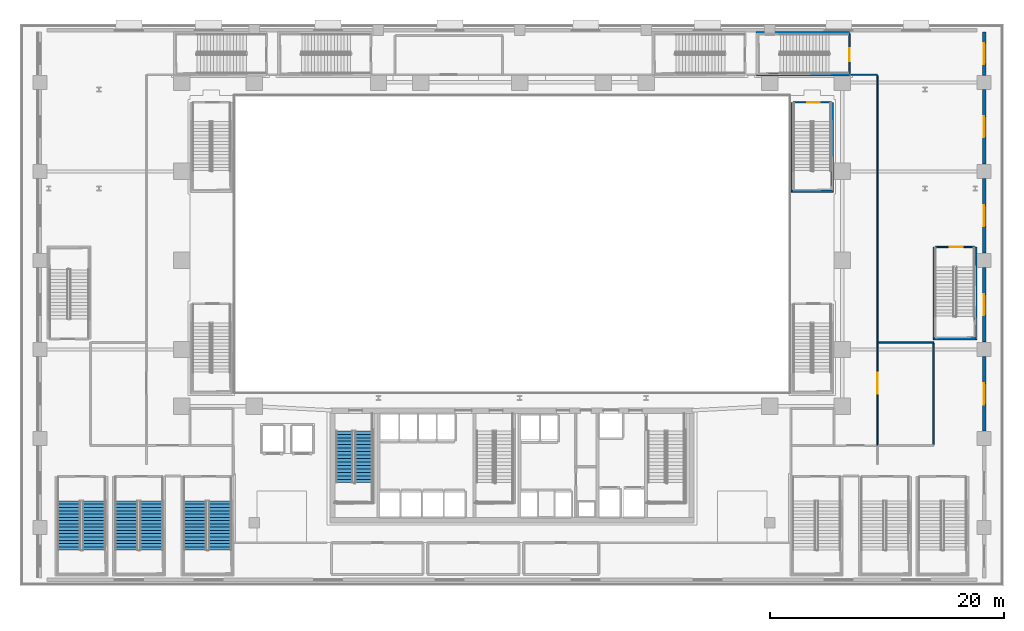
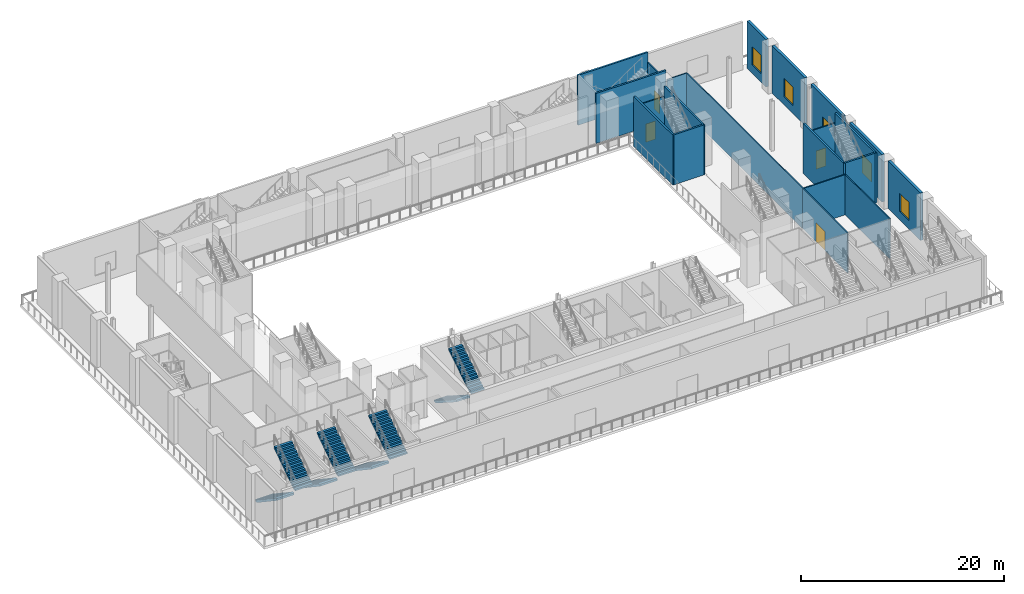
# One storey, part 12 of 29: 21 walls, 8 stair flights, 5 windows, 4 doors, 9 openings, 4 elements without a shape of their own.
"""IFC4 building model written with IfcOpenShell, lengths in metres."""

from ifc_helpers import new_model, si_unit, direction, frame, frame_2d, origin, place, context, subcontext, project, spatial, polyline, rectangle, outline, extrude, material, layer, layer_set, type_object, element, fill, aggregate, save


model = new_model("IFC4")

# Units and contexts
model_context = context("Model", 3, precision=1e-05, world=origin(), true_north=direction((0.0, 1.0)))
body_context = subcontext(model_context, "Body", "Model", "MODEL_VIEW")
ifc_project = project(units=[si_unit("LENGTHUNIT", "METRE"), si_unit("AREAUNIT", "SQUARE_METRE"), si_unit("VOLUMEUNIT", "CUBIC_METRE"), si_unit("PLANEANGLEUNIT", "RADIAN"), si_unit("MASSUNIT", "GRAM", prefix="KILO")], contexts=[model_context])

# Site, building, storey
site_placement = place(None, origin())
site = spatial("IfcSite", under=ifc_project, at=site_placement, CompositionType="ELEMENT")
building_placement = place(site_placement, origin())
building = spatial("IfcBuilding", under=site, at=building_placement, Name="Ndaravel Arena Tower", CompositionType="ELEMENT")
storey_placement = place(building_placement, frame((0.0, 0.0, 12.0)))
storey = spatial("IfcBuildingStorey", under=building, at=storey_placement, Name="L02", CompositionType="ELEMENT", Elevation=12.0)

# Walls
ifc_material_1 = material(Name="Gypsum", Category="gypsum")
ifc_layer_1 = layer(ifc_material_1, 0.125)
ifc_layer_set_1 = layer_set([ifc_layer_1], Name="Gypsum")
wall_type_1 = type_object("IfcWallType", Name="WALL-PART-125", PredefinedType="PARTITIONING", material=ifc_layer_set_1)
wall_1_placement = place(storey_placement, frame((70.919921875, 43.64990234375, 0.0), z_axis=(0.0, 0.0, 1.0), x_axis=(1.0, 0.0, 0.0)))
element("IfcWall", 1, at=wall_1_placement, inside=storey, type_object=wall_type_1, Name="L02 Interior Partition 021", PredefinedType="PARTITIONING", context=body_context, shape_type="SweptSolid", body=[
    extrude(rectangle(XDim=2.280029296875, YDim=0.125, at=frame_2d((1.14013671875, 0.0))), origin(), (0.0, 0.0, 1.0), 4.819091796875),
])
wall_2_placement = place(storey_placement, frame((73.199951171875, 43.5849609375, 0.0), z_axis=(0.0, 0.0, 1.0), x_axis=(0.0, -1.0, 0.0)))
element("IfcWall", 2, at=wall_2_placement, inside=storey, type_object=wall_type_1, Name="L02 Interior Partition 022", PredefinedType="PARTITIONING", context=body_context, shape_type="SweptSolid", body=[
    extrude(rectangle(XDim=22.784912109375, YDim=0.125, at=frame_2d((11.392578125, 0.0))), origin(), (0.0, 0.0, 1.0), 4.819091796875),
])

# Wall, opening, door
wall_3_placement = place(storey_placement, frame((73.199951171875, 20.800048828125, 0.0), z_axis=(0.0, 0.0, 1.0), x_axis=(0.0, -1.0, 0.0)))
wall_3 = element("IfcWall", 3, at=wall_3_placement, inside=storey, type_object=wall_type_1, Name="L02 Interior Partition 023", PredefinedType="PARTITIONING", context=body_context, shape_type="SweptSolid", body=[
    extrude(rectangle(XDim=8.800048828125, YDim=0.125, at=frame_2d((4.39990234375, 0.0))), origin(), (0.0, 0.0, 1.0), 4.819091796875),
])
opening_1_placement = place(wall_3_placement, frame((2.60009765625, 0.0, 0.0)))
opening_1 = element("IfcOpeningElement", 4, at=opening_1_placement, cuts=wall_3, Name="Opening AD-01", PredefinedType="OPENING", context=body_context, shape_type="SweptSolid", body=[
    extrude(rectangle(XDim=1.800048828125, YDim=2.300048828125, at=frame_2d((0.89990234375, 1.14990234375))), frame((0.0, 0.0625, 0.0), z_axis=(0.0, -1.0, 0.0), x_axis=(1.0, 0.0, 0.0)), (0.0, 0.0, 1.0), 0.125),
])
ifc_material_2 = material(Name="Steel S355", Category="steel")
door_type_1 = type_object("IfcDoorType", Name="DT-10-ARENA-1800", OperationType="DOUBLE_DOOR_SINGLE_SWING", PredefinedType="DOOR", material=ifc_material_2)
door_1_placement = place(opening_1_placement, origin())
door_1 = element("IfcDoor", 5, at=door_1_placement, inside=storey, type_object=door_type_1, Name="L02 East Corporate Hospitality Boxes Door", OperationType="SINGLE_SWING_LEFT", OverallHeight=2.300048828125, OverallWidth=1.800048828125, PredefinedType="DOOR", context=body_context, shape_type="SweptSolid", body=[
    extrude(rectangle(XDim=1.800048828125, YDim=2.300048828125, at=frame_2d((0.89990234375, 1.14990234375))), frame((0.0, 0.02490234375, 0.0), z_axis=(0.0, -1.0, 0.0), x_axis=(1.0, 0.0, 0.0)), (0.0, 0.0, 1.0), 0.050048828125),
])
fill(opening_1, door_1)

# Walls
wall_4_placement = place(storey_placement, frame((73.264892578125, 20.800048828125, 0.0), z_axis=(0.0, 0.0, 1.0), x_axis=(1.0, 0.0, 0.0)))
element("IfcWall", 6, at=wall_4_placement, inside=storey, type_object=wall_type_1, Name="L02 Interior Partition 037", PredefinedType="PARTITIONING", context=body_context, shape_type="SweptSolid", body=[
    extrude(rectangle(XDim=4.735107421875, YDim=0.125, at=frame_2d((2.36767578125, 0.0))), origin(), (0.0, 0.0, 1.0), 4.819091796875),
])
wall_5_placement = place(storey_placement, frame((78.0, 20.735107421875, 0.0), z_axis=(0.0, 0.0, 1.0), x_axis=(0.0, -1.0, 0.0)))
element("IfcWall", 7, at=wall_5_placement, inside=storey, type_object=wall_type_1, Name="L02 Interior Partition 038", PredefinedType="PARTITIONING", context=body_context, shape_type="SweptSolid", body=[
    extrude(rectangle(XDim=8.670166015625, YDim=0.125, at=frame_2d((4.3349609375, 0.0))), origin(), (0.0, 0.0, 1.0), 4.819091796875),
])

# Wall, opening, window
ifc_material_3 = material(Name="Masonry", Category="masonry")
ifc_layer_2 = layer(ifc_material_3, 0.300048828125)
ifc_layer_set_2 = layer_set([ifc_layer_2], Name="Masonry")
wall_type_2 = type_object("IfcWallType", Name="WALL-POD-MAZERAS-300", PredefinedType="SOLIDWALL", material=ifc_layer_set_2)
wall_6_placement = place(storey_placement, frame((82.300048828125, 19.580078125, 0.0), z_axis=(0.0, 0.0, 1.0), x_axis=(0.0, -1.0, 0.0)))
wall_6 = element("IfcWall", 8, at=wall_6_placement, inside=storey, type_object=wall_type_2, Name="L02 East Mazeras Bay 3", PredefinedType="SOLIDWALL", context=body_context, shape_type="SweptSolid", body=[
    extrude(rectangle(XDim=6.360107421875, YDim=0.300048828125, at=frame_2d((3.18017578125, 0.0))), origin(), (0.0, 0.0, 1.0), 5.699951171875),
])
opening_2_placement = place(wall_6_placement, frame((2.280029296875, 0.0, 1.0)))
opening_2 = element("IfcOpeningElement", 9, at=opening_2_placement, cuts=wall_6, Name="Opening W-PD2", PredefinedType="OPENING", context=body_context, shape_type="SweptSolid", body=[
    extrude(rectangle(XDim=1.800048828125, YDim=2.199951171875, at=frame_2d((0.89990234375, 1.10009765625))), frame((0.0, 0.14990234375, 0.0), z_axis=(0.0, -1.0, 0.0), x_axis=(1.0, 0.0, 0.0)), (0.0, 0.0, 1.0), 0.300048828125),
])
ifc_material_4 = material(Name="Glazing", Category="glass")
window_type = type_object("IfcWindowType", Name="WIN-POD-1800", PartitioningType="SINGLE_PANEL", PredefinedType="WINDOW", material=ifc_material_4)
window_1_placement = place(opening_2_placement, origin())
window_1 = element("IfcWindow", 10, at=window_1_placement, inside=storey, type_object=window_type, Name="L02 East Mazeras Window 3", OverallHeight=2.199951171875, OverallWidth=1.800048828125, PartitioningType="SINGLE_PANEL", PredefinedType="WINDOW", context=body_context, shape_type="SweptSolid", body=[
    extrude(rectangle(XDim=1.800048828125, YDim=2.199951171875, at=frame_2d((0.89990234375, 1.10009765625))), frame((0.0, 0.030029296875, 0.0), z_axis=(0.0, -1.0, 0.0), x_axis=(1.0, 0.0, 0.0)), (0.0, 0.0, 1.0), 0.06005859375),
])
fill(opening_2, window_1)

wall_7_placement = place(storey_placement, frame((82.300048828125, 27.179931640625, 0.0), z_axis=(0.0, 0.0, 1.0), x_axis=(0.0, -1.0, 0.0)))
wall_7 = element("IfcWall", 11, at=wall_7_placement, inside=storey, type_object=wall_type_2, Name="L02 East Mazeras Bay 4", PredefinedType="SOLIDWALL", context=body_context, shape_type="SweptSolid", body=[
    extrude(rectangle(XDim=6.35986328125, YDim=0.300048828125, at=frame_2d((3.179931640625, 0.0))), origin(), (0.0, 0.0, 1.0), 5.699951171875),
])
opening_3_placement = place(wall_7_placement, frame((2.280029296875, 0.0, 1.0)))
opening_3 = element("IfcOpeningElement", 12, at=opening_3_placement, cuts=wall_7, Name="Opening W-PD2", PredefinedType="OPENING", context=body_context, shape_type="SweptSolid", body=[
    extrude(rectangle(XDim=1.800048828125, YDim=2.199951171875, at=frame_2d((0.89990234375, 1.10009765625))), frame((0.0, 0.14990234375, 0.0), z_axis=(0.0, -1.0, 0.0), x_axis=(1.0, 0.0, 0.0)), (0.0, 0.0, 1.0), 0.300048828125),
])
window_2_placement = place(opening_3_placement, origin())
window_2 = element("IfcWindow", 13, at=window_2_placement, inside=storey, type_object=window_type, Name="L02 East Mazeras Window 4", OverallHeight=2.199951171875, OverallWidth=1.800048828125, PartitioningType="SINGLE_PANEL", PredefinedType="WINDOW", context=body_context, shape_type="SweptSolid", body=[
    extrude(rectangle(XDim=1.800048828125, YDim=2.199951171875, at=frame_2d((0.89990234375, 1.10009765625))), frame((0.0, 0.030029296875, 0.0), z_axis=(0.0, -1.0, 0.0), x_axis=(1.0, 0.0, 0.0)), (0.0, 0.0, 1.0), 0.06005859375),
])
fill(opening_3, window_2)

wall_8_placement = place(storey_placement, frame((82.300048828125, 34.780029296875, 0.0), z_axis=(0.0, 0.0, 1.0), x_axis=(0.0, -1.0, 0.0)))
wall_8 = element("IfcWall", 14, at=wall_8_placement, inside=storey, type_object=wall_type_2, Name="L02 East Mazeras Bay 5", PredefinedType="SOLIDWALL", context=body_context, shape_type="SweptSolid", body=[
    extrude(rectangle(XDim=6.360107421875, YDim=0.300048828125, at=frame_2d((3.18017578125, 0.0))), origin(), (0.0, 0.0, 1.0), 5.699951171875),
])
opening_4_placement = place(wall_8_placement, frame((2.280029296875, 0.0, 1.0)))
opening_4 = element("IfcOpeningElement", 15, at=opening_4_placement, cuts=wall_8, Name="Opening W-PD2", PredefinedType="OPENING", context=body_context, shape_type="SweptSolid", body=[
    extrude(rectangle(XDim=1.800048828125, YDim=2.199951171875, at=frame_2d((0.89990234375, 1.10009765625))), frame((0.0, 0.14990234375, 0.0), z_axis=(0.0, -1.0, 0.0), x_axis=(1.0, 0.0, 0.0)), (0.0, 0.0, 1.0), 0.300048828125),
])
window_3_placement = place(opening_4_placement, origin())
window_3 = element("IfcWindow", 16, at=window_3_placement, inside=storey, type_object=window_type, Name="L02 East Mazeras Window 5", OverallHeight=2.199951171875, OverallWidth=1.800048828125, PartitioningType="SINGLE_PANEL", PredefinedType="WINDOW", context=body_context, shape_type="SweptSolid", body=[
    extrude(rectangle(XDim=1.800048828125, YDim=2.199951171875, at=frame_2d((0.89990234375, 1.10009765625))), frame((0.0, 0.030029296875, 0.0), z_axis=(0.0, -1.0, 0.0), x_axis=(1.0, 0.0, 0.0)), (0.0, 0.0, 1.0), 0.06005859375),
])
fill(opening_4, window_3)

wall_9_placement = place(storey_placement, frame((82.300048828125, 42.3798828125, 0.0), z_axis=(0.0, 0.0, 1.0), x_axis=(0.0, -1.0, 0.0)))
wall_9 = element("IfcWall", 17, at=wall_9_placement, inside=storey, type_object=wall_type_2, Name="L02 East Mazeras Bay 6", PredefinedType="SOLIDWALL", context=body_context, shape_type="SweptSolid", body=[
    extrude(rectangle(XDim=6.35986328125, YDim=0.300048828125, at=frame_2d((3.179931640625, 0.0))), origin(), (0.0, 0.0, 1.0), 5.699951171875),
])
opening_5_placement = place(wall_9_placement, frame((2.280029296875, 0.0, 1.0)))
opening_5 = element("IfcOpeningElement", 18, at=opening_5_placement, cuts=wall_9, Name="Opening W-PD2", PredefinedType="OPENING", context=body_context, shape_type="SweptSolid", body=[
    extrude(rectangle(XDim=1.800048828125, YDim=2.199951171875, at=frame_2d((0.89990234375, 1.10009765625))), frame((0.0, 0.14990234375, 0.0), z_axis=(0.0, -1.0, 0.0), x_axis=(1.0, 0.0, 0.0)), (0.0, 0.0, 1.0), 0.300048828125),
])
window_4_placement = place(opening_5_placement, origin())
window_4 = element("IfcWindow", 19, at=window_4_placement, inside=storey, type_object=window_type, Name="L02 East Mazeras Window 6", OverallHeight=2.199951171875, OverallWidth=1.800048828125, PartitioningType="SINGLE_PANEL", PredefinedType="WINDOW", context=body_context, shape_type="SweptSolid", body=[
    extrude(rectangle(XDim=1.800048828125, YDim=2.199951171875, at=frame_2d((0.89990234375, 1.10009765625))), frame((0.0, 0.030029296875, 0.0), z_axis=(0.0, -1.0, 0.0), x_axis=(1.0, 0.0, 0.0)), (0.0, 0.0, 1.0), 0.06005859375),
])
fill(opening_5, window_4)

wall_10_placement = place(storey_placement, frame((82.300048828125, 47.300048828125, 0.0), z_axis=(0.0, 0.0, 1.0), x_axis=(0.0, -1.0, 0.0)))
wall_10 = element("IfcWall", 20, at=wall_10_placement, inside=storey, type_object=wall_type_2, Name="L02 East Mazeras Bay 7", PredefinedType="SOLIDWALL", context=body_context, shape_type="SweptSolid", body=[
    extrude(rectangle(XDim=3.699951171875, YDim=0.300048828125, at=frame_2d((1.85009765625, 0.0))), origin(), (0.0, 0.0, 1.0), 5.699951171875),
])
opening_6_placement = place(wall_10_placement, frame((0.949951171875, 0.0, 1.0)))
opening_6 = element("IfcOpeningElement", 21, at=opening_6_placement, cuts=wall_10, Name="Opening W-PD2", PredefinedType="OPENING", context=body_context, shape_type="SweptSolid", body=[
    extrude(rectangle(XDim=1.800048828125, YDim=2.199951171875, at=frame_2d((0.89990234375, 1.10009765625))), frame((0.0, 0.14990234375, 0.0), z_axis=(0.0, -1.0, 0.0), x_axis=(1.0, 0.0, 0.0)), (0.0, 0.0, 1.0), 0.300048828125),
])
window_5_placement = place(opening_6_placement, origin())
window_5 = element("IfcWindow", 22, at=window_5_placement, inside=storey, type_object=window_type, Name="L02 East Mazeras Window 7", OverallHeight=2.199951171875, OverallWidth=1.800048828125, PartitioningType="SINGLE_PANEL", PredefinedType="WINDOW", context=body_context, shape_type="SweptSolid", body=[
    extrude(rectangle(XDim=1.800048828125, YDim=2.199951171875, at=frame_2d((0.89990234375, 1.10009765625))), frame((0.0, 0.030029296875, 0.0), z_axis=(0.0, -1.0, 0.0), x_axis=(1.0, 0.0, 0.0)), (0.0, 0.0, 1.0), 0.06005859375),
])
fill(opening_6, window_5)

# Wall, opening, door
ifc_material_5 = material(Name="Concrete C40/50", Category="concrete")
ifc_layer_3 = layer(ifc_material_5, 0.1201171875)
ifc_layer_set_3 = layer_set([ifc_layer_3], Name="Concrete C40/50")
wall_type_3 = type_object("IfcWallType", Name="WALL-SHAFT-120", PredefinedType="SOLIDWALL", material=ifc_layer_set_3)
wall_11_placement = place(storey_placement, frame((70.800048828125, 47.135009765625, 0.0), z_axis=(0.0, 0.0, 1.0), x_axis=(0.0, -1.0, 0.0)))
wall_11 = element("IfcWall", 23, at=wall_11_placement, inside=storey, type_object=wall_type_3, Name="L02 ST-A11 Entry Wall", PredefinedType="SOLIDWALL", context=body_context, shape_type="SweptSolid", body=[
    extrude(rectangle(XDim=3.3701171875, YDim=0.1201171875, at=frame_2d((1.68505859375, 0.0))), origin(), (0.0, 0.0, 1.0), 4.819091796875),
])
opening_7_placement = place(wall_11_placement, frame((1.239990234375, 0.0, 0.0)))
opening_7 = element("IfcOpeningElement", 24, at=opening_7_placement, cuts=wall_11, Name="Opening FD-01", PredefinedType="OPENING", context=body_context, shape_type="SweptSolid", body=[
    extrude(rectangle(XDim=1.10009765625, YDim=2.199951171875, at=frame_2d((0.550048828125, 1.10009765625))), frame((0.0, 0.06005859375, 0.0), z_axis=(0.0, -1.0, 0.0), x_axis=(1.0, 0.0, 0.0)), (0.0, 0.0, 1.0), 0.1201171875),
])
ifc_material_6 = material(Name="Steel S355", Category="steel")
door_type_2 = type_object("IfcDoorType", Name="DT-01-STAIR-1100", OperationType="SINGLE_SWING_LEFT", PredefinedType="DOOR", material=ifc_material_6)
door_2_placement = place(opening_7_placement, origin())
door_2 = element("IfcDoor", 25, at=door_2_placement, inside=storey, type_object=door_type_2, Name="L02 ST-A11 Fire Exit Stair Door", OperationType="SINGLE_SWING_LEFT", OverallHeight=2.199951171875, OverallWidth=1.10009765625, PredefinedType="DOOR", context=body_context, shape_type="SweptSolid", body=[
    extrude(rectangle(XDim=1.10009765625, YDim=2.199951171875, at=frame_2d((0.550048828125, 1.10009765625))), frame((0.0, 0.02490234375, 0.0), z_axis=(0.0, -1.0, 0.0), x_axis=(1.0, 0.0, 0.0)), (0.0, 0.0, 1.0), 0.050048828125),
])
fill(opening_7, door_2)

wall_12_placement = place(storey_placement, frame((78.125, 28.949951171875, 0.0), z_axis=(0.0, 0.0, 1.0), x_axis=(1.0, 0.0, 0.0)))
wall_12 = element("IfcWall", 26, at=wall_12_placement, inside=storey, type_object=wall_type_3, Name="L02 ST-A12 Entry Wall", PredefinedType="SOLIDWALL", context=body_context, shape_type="SweptSolid", body=[
    extrude(rectangle(XDim=3.3701171875, YDim=0.1201171875, at=frame_2d((1.68505859375, 0.0))), origin(), (0.0, 0.0, 1.0), 4.819091796875),
])
opening_8_placement = place(wall_12_placement, frame((1.239990234375, 0.0, 0.0)))
opening_8 = element("IfcOpeningElement", 27, at=opening_8_placement, cuts=wall_12, Name="Opening FD-01", PredefinedType="OPENING", context=body_context, shape_type="SweptSolid", body=[
    extrude(rectangle(XDim=1.10009765625, YDim=2.199951171875, at=frame_2d((0.550048828125, 1.10009765625))), frame((0.0, 0.06005859375, 0.0), z_axis=(0.0, -1.0, 0.0), x_axis=(1.0, 0.0, 0.0)), (0.0, 0.0, 1.0), 0.1201171875),
])
door_3_placement = place(opening_8_placement, origin())
door_3 = element("IfcDoor", 28, at=door_3_placement, inside=storey, type_object=door_type_2, Name="L02 ST-A12 Fire Exit Stair Door", OperationType="SINGLE_SWING_LEFT", OverallHeight=2.199951171875, OverallWidth=1.10009765625, PredefinedType="DOOR", context=body_context, shape_type="SweptSolid", body=[
    extrude(rectangle(XDim=1.10009765625, YDim=2.199951171875, at=frame_2d((0.550048828125, 1.10009765625))), frame((0.0, 0.02490234375, 0.0), z_axis=(0.0, -1.0, 0.0), x_axis=(1.0, 0.0, 0.0)), (0.0, 0.0, 1.0), 0.050048828125),
])
fill(opening_8, door_3)

wall_13_placement = place(storey_placement, frame((66.0048828125, 41.300048828125, 0.0), z_axis=(0.0, 0.0, 1.0), x_axis=(1.0, 0.0, 0.0)))
wall_13 = element("IfcWall", 29, at=wall_13_placement, inside=storey, type_object=wall_type_3, Name="L02 ST-VOM-4 Entry Wall", PredefinedType="SOLIDWALL", context=body_context, shape_type="SweptSolid", body=[
    extrude(rectangle(XDim=3.25, YDim=0.1201171875, at=frame_2d((1.625, 0.0))), origin(), (0.0, 0.0, 1.0), 4.819091796875),
])
opening_9_placement = place(wall_13_placement, frame((1.179931640625, 0.0, 0.0)))
opening_9 = element("IfcOpeningElement", 30, at=opening_9_placement, cuts=wall_13, Name="Opening FD-01", PredefinedType="OPENING", context=body_context, shape_type="SweptSolid", body=[
    extrude(rectangle(XDim=1.10009765625, YDim=2.199951171875, at=frame_2d((0.550048828125, 1.10009765625))), frame((0.0, 0.06005859375, 0.0), z_axis=(0.0, -1.0, 0.0), x_axis=(1.0, 0.0, 0.0)), (0.0, 0.0, 1.0), 0.1201171875),
])
door_4_placement = place(opening_9_placement, origin())
door_4 = element("IfcDoor", 31, at=door_4_placement, inside=storey, type_object=door_type_2, Name="L02 ST-VOM-4 Fire Exit Stair Door", OperationType="SINGLE_SWING_LEFT", OverallHeight=2.199951171875, OverallWidth=1.10009765625, PredefinedType="DOOR", context=body_context, shape_type="SweptSolid", body=[
    extrude(rectangle(XDim=1.10009765625, YDim=2.199951171875, at=frame_2d((0.550048828125, 1.10009765625))), frame((0.0, 0.02490234375, 0.0), z_axis=(0.0, -1.0, 0.0), x_axis=(1.0, 0.0, 0.0)), (0.0, 0.0, 1.0), 0.050048828125),
])
fill(opening_9, door_4)

# Walls
ifc_material_7 = material(Name="Concrete C40/50", Category="concrete")
ifc_layer_4 = layer(ifc_material_7, 0.199951171875)
ifc_layer_set_4 = layer_set([ifc_layer_4], Name="Concrete C40/50")
wall_type_4 = type_object("IfcWallType", Name="WALL-SHAFT-200", PredefinedType="SOLIDWALL", material=ifc_layer_set_4)
for number, where, z_axis, x_axis, name in (
    (32, (70.800048828125, 47.239990234375, 0.0), (0.0, 0.0, 1.0), (-1.0, 0.0, 0.0), "L02 ST-A11 Shaft Wall Left"),
    (33, (70.800048828125, 43.659912109375, 0.0), (0.0, 0.0, 1.0), (-1.0, 0.0, 0.0), "L02 ST-A11 Shaft Wall Right"),
    (34, (78.02001953125, 28.949951171875, 0.0), (0.0, 0.0, 1.0), (0.0, -1.0, 0.0), "L02 ST-A12 Shaft Wall Left"),
    (35, (81.60009765625, 28.949951171875, 0.0), (0.0, 0.0, 1.0), (0.0, -1.0, 0.0), "L02 ST-A12 Shaft Wall Right"),
):
    element("IfcWall", number, at=place(storey_placement, frame(where, z_axis=z_axis, x_axis=x_axis)), inside=storey, type_object=wall_type_4, Name=name, PredefinedType="SOLIDWALL", context=body_context, shape_type="SweptSolid", body=[
        extrude(rectangle(XDim=7.949951171875, YDim=0.199951171875, at=frame_2d((3.97509765625, 0.0))), origin(), (0.0, 0.0, 1.0), 6.0),
    ])
wall_14_placement = place(storey_placement, frame((78.030029296875, 21.10009765625, 0.0), z_axis=(0.0, 0.0, 1.0), x_axis=(1.0, 0.0, 0.0)))
element("IfcWall", 36, at=wall_14_placement, inside=storey, type_object=wall_type_4, Name="L02 ST-A12 Shaft Wall Far", PredefinedType="SOLIDWALL", context=body_context, shape_type="SweptSolid", body=[
    extrude(rectangle(XDim=3.56005859375, YDim=0.199951171875, at=frame_2d((1.780029296875, 0.0))), origin(), (0.0, 0.0, 1.0), 6.0),
])
for number, where, z_axis, x_axis, name in (
    (37, (65.89990234375, 41.300048828125, 0.0), (0.0, 0.0, 1.0), (0.0, -1.0, 0.0), "L02 ST-VOM-4 Shaft Wall Left"),
    (38, (69.360107421875, 41.300048828125, 0.0), (0.0, 0.0, 1.0), (0.0, -1.0, 0.0), "L02 ST-VOM-4 Shaft Wall Right"),
):
    element("IfcWall", number, at=place(storey_placement, frame(where, z_axis=z_axis, x_axis=x_axis)), inside=storey, type_object=wall_type_4, Name=name, PredefinedType="SOLIDWALL", context=body_context, shape_type="SweptSolid", body=[
        extrude(rectangle(XDim=7.699951171875, YDim=0.199951171875, at=frame_2d((3.85009765625, 0.0))), origin(), (0.0, 0.0, 1.0), 6.0),
    ])
wall_15_placement = place(storey_placement, frame((65.909912109375, 33.699951171875, 0.0), z_axis=(0.0, 0.0, 1.0), x_axis=(1.0, 0.0, 0.0)))
element("IfcWall", 39, at=wall_15_placement, inside=storey, type_object=wall_type_4, Name="L02 ST-VOM-4 Shaft Wall Far", PredefinedType="SOLIDWALL", context=body_context, shape_type="SweptSolid", body=[
    extrude(rectangle(XDim=3.440185546875, YDim=0.199951171875, at=frame_2d((1.72021484375, 0.0))), origin(), (0.0, 0.0, 1.0), 6.0),
])

# Stair, stair flights
ifc_material_8 = material(Name="Concrete C40/50", Category="concrete")
stair_type_1 = type_object("IfcStairType", Name="STAIR-ARENA-HT", PredefinedType="HALF_TURN_STAIR", material=ifc_material_8)
stair_1_placement = place(storey_placement, origin())
stair_1 = element("IfcStair", 40, at=stair_1_placement, inside=storey, type_object=stair_type_1, Name="L02 ST-A01", PredefinedType="HALF_TURN_STAIR")
ifc_material_9 = material(Name="Concrete C40/50", Category="concrete")
stair_flight_type_1 = type_object("IfcStairFlightType", Name="SFLIGHT-ARENA-1980", PredefinedType="STRAIGHT", material=ifc_material_9)
stair_flight_1_placement = place(storey_placement, frame((4.18994140625, 7.27001953125, 0.0), z_axis=(0.0, 0.0, 1.0), x_axis=(0.0, -1.0, 0.0)))
stair_flight_1 = element("IfcStairFlight", 41, at=stair_flight_1_placement, type_object=stair_flight_type_1, Name="ST-A01 flight 1", NumberOfRisers=16, NumberOfTreads=15, PredefinedType="STRAIGHT", RiserHeight=0.1875, TreadLength=0.28, context=body_context, shape_type="SweptSolid", body=[
    extrude(outline(polyline([(0.0, 0.0), (0.0, 0.1875), (0.280029296875, 0.1875), (0.280029296875, 0.375), (0.56005859375, 0.375), (0.56005859375, 0.5625), (0.840087890625, 0.5625), (0.840087890625, 0.75), (1.1201171875, 0.75), (1.1201171875, 0.9375), (1.39990234375, 0.9375), (1.39990234375, 1.125), (1.679931640625, 1.125), (1.679931640625, 1.3125), (1.9599609375, 1.3125), (1.9599609375, 1.5), (2.239990234375, 1.5), (2.239990234375, 1.6875), (2.52001953125, 1.6875), (2.52001953125, 1.875), (2.800048828125, 1.875), (2.800048828125, 2.0625), (3.080078125, 2.0625), (3.080078125, 2.25), (3.360107421875, 2.25), (3.360107421875, 2.4375), (3.639892578125, 2.4375), (3.639892578125, 2.625), (3.919921875, 2.625), (3.919921875, 2.8125), (4.199951171875, 2.8125), (4.199951171875, 3.0), (4.199951171875, 2.57177734375), (0.359375, 0.0), (0.0, 0.0)])), frame((0.0, 0.989990234375, 0.0), z_axis=(0.0, -1.0, 0.0), x_axis=(1.0, 0.0, 0.0)), (0.0, 0.0, 1.0), 1.97998046875),
])
stair_flight_2_placement = place(storey_placement, frame((6.31005859375, 3.070068359375, 3.0), z_axis=(0.0, 0.0, 1.0), x_axis=(0.0, 1.0, 0.0)))
stair_flight_2 = element("IfcStairFlight", 42, at=stair_flight_2_placement, type_object=stair_flight_type_1, Name="ST-A01 flight 2", NumberOfRisers=16, NumberOfTreads=15, PredefinedType="STRAIGHT", RiserHeight=0.1875, TreadLength=0.28, context=body_context, shape_type="SweptSolid", body=[
    extrude(outline(polyline([(0.0, 0.0), (0.0, 0.1875), (0.280029296875, 0.1875), (0.280029296875, 0.375), (0.56005859375, 0.375), (0.56005859375, 0.5625), (0.840087890625, 0.5625), (0.840087890625, 0.75), (1.1201171875, 0.75), (1.1201171875, 0.9375), (1.39990234375, 0.9375), (1.39990234375, 1.125), (1.679931640625, 1.125), (1.679931640625, 1.3125), (1.9599609375, 1.3125), (1.9599609375, 1.5), (2.239990234375, 1.5), (2.239990234375, 1.6875), (2.52001953125, 1.6875), (2.52001953125, 1.875), (2.800048828125, 1.875), (2.800048828125, 2.0625), (3.080078125, 2.0625), (3.080078125, 2.25), (3.360107421875, 2.25), (3.360107421875, 2.4375), (3.639892578125, 2.4375), (3.639892578125, 2.625), (3.919921875, 2.625), (3.919921875, 2.8125), (4.199951171875, 2.8125), (4.199951171875, 3.0), (4.199951171875, 2.57177734375), (0.359375, 0.0), (0.0, 0.0)])), frame((0.0, 0.989990234375, 0.0), z_axis=(0.0, -1.0, 0.0), x_axis=(1.0, 0.0, 0.0)), (0.0, 0.0, 1.0), 1.97998046875),
])
aggregate(stair_1, [stair_flight_1, stair_flight_2])

stair_2_placement = place(storey_placement, origin())
stair_2 = element("IfcStair", 43, at=stair_2_placement, inside=storey, type_object=stair_type_1, Name="L02 ST-A02", PredefinedType="HALF_TURN_STAIR")
stair_flight_3_placement = place(storey_placement, frame((9.090087890625, 7.27001953125, 0.0), z_axis=(0.0, 0.0, 1.0), x_axis=(0.0, -1.0, 0.0)))
stair_flight_3 = element("IfcStairFlight", 44, at=stair_flight_3_placement, type_object=stair_flight_type_1, Name="ST-A02 flight 1", NumberOfRisers=16, NumberOfTreads=15, PredefinedType="STRAIGHT", RiserHeight=0.1875, TreadLength=0.28, context=body_context, shape_type="SweptSolid", body=[
    extrude(outline(polyline([(0.0, 0.0), (0.0, 0.1875), (0.280029296875, 0.1875), (0.280029296875, 0.375), (0.56005859375, 0.375), (0.56005859375, 0.5625), (0.840087890625, 0.5625), (0.840087890625, 0.75), (1.1201171875, 0.75), (1.1201171875, 0.9375), (1.39990234375, 0.9375), (1.39990234375, 1.125), (1.679931640625, 1.125), (1.679931640625, 1.3125), (1.9599609375, 1.3125), (1.9599609375, 1.5), (2.239990234375, 1.5), (2.239990234375, 1.6875), (2.52001953125, 1.6875), (2.52001953125, 1.875), (2.800048828125, 1.875), (2.800048828125, 2.0625), (3.080078125, 2.0625), (3.080078125, 2.25), (3.360107421875, 2.25), (3.360107421875, 2.4375), (3.639892578125, 2.4375), (3.639892578125, 2.625), (3.919921875, 2.625), (3.919921875, 2.8125), (4.199951171875, 2.8125), (4.199951171875, 3.0), (4.199951171875, 2.57177734375), (0.359375, 0.0), (0.0, 0.0)])), frame((0.0, 0.989990234375, 0.0), z_axis=(0.0, -1.0, 0.0), x_axis=(1.0, 0.0, 0.0)), (0.0, 0.0, 1.0), 1.97998046875),
])
stair_flight_4_placement = place(storey_placement, frame((11.2099609375, 3.070068359375, 3.0), z_axis=(0.0, 0.0, 1.0), x_axis=(0.0, 1.0, 0.0)))
stair_flight_4 = element("IfcStairFlight", 45, at=stair_flight_4_placement, type_object=stair_flight_type_1, Name="ST-A02 flight 2", NumberOfRisers=16, NumberOfTreads=15, PredefinedType="STRAIGHT", RiserHeight=0.1875, TreadLength=0.28, context=body_context, shape_type="SweptSolid", body=[
    extrude(outline(polyline([(0.0, 0.0), (0.0, 0.1875), (0.280029296875, 0.1875), (0.280029296875, 0.375), (0.56005859375, 0.375), (0.56005859375, 0.5625), (0.840087890625, 0.5625), (0.840087890625, 0.75), (1.1201171875, 0.75), (1.1201171875, 0.9375), (1.39990234375, 0.9375), (1.39990234375, 1.125), (1.679931640625, 1.125), (1.679931640625, 1.3125), (1.9599609375, 1.3125), (1.9599609375, 1.5), (2.239990234375, 1.5), (2.239990234375, 1.6875), (2.52001953125, 1.6875), (2.52001953125, 1.875), (2.800048828125, 1.875), (2.800048828125, 2.0625), (3.080078125, 2.0625), (3.080078125, 2.25), (3.360107421875, 2.25), (3.360107421875, 2.4375), (3.639892578125, 2.4375), (3.639892578125, 2.625), (3.919921875, 2.625), (3.919921875, 2.8125), (4.199951171875, 2.8125), (4.199951171875, 3.0), (4.199951171875, 2.57177734375), (0.359375, 0.0), (0.0, 0.0)])), frame((0.0, 0.989990234375, 0.0), z_axis=(0.0, -1.0, 0.0), x_axis=(1.0, 0.0, 0.0)), (0.0, 0.0, 1.0), 1.97998046875),
])
aggregate(stair_2, [stair_flight_3, stair_flight_4])

stair_3_placement = place(storey_placement, origin())
stair_3 = element("IfcStair", 46, at=stair_3_placement, inside=storey, type_object=stair_type_1, Name="L02 ST-A03", PredefinedType="HALF_TURN_STAIR")
stair_flight_5_placement = place(storey_placement, frame((14.93994140625, 7.27001953125, 0.0), z_axis=(0.0, 0.0, 1.0), x_axis=(0.0, -1.0, 0.0)))
stair_flight_5 = element("IfcStairFlight", 47, at=stair_flight_5_placement, type_object=stair_flight_type_1, Name="ST-A03 flight 1", NumberOfRisers=16, NumberOfTreads=15, PredefinedType="STRAIGHT", RiserHeight=0.1875, TreadLength=0.28, context=body_context, shape_type="SweptSolid", body=[
    extrude(outline(polyline([(0.0, 0.0), (0.0, 0.1875), (0.280029296875, 0.1875), (0.280029296875, 0.375), (0.56005859375, 0.375), (0.56005859375, 0.5625), (0.840087890625, 0.5625), (0.840087890625, 0.75), (1.1201171875, 0.75), (1.1201171875, 0.9375), (1.39990234375, 0.9375), (1.39990234375, 1.125), (1.679931640625, 1.125), (1.679931640625, 1.3125), (1.9599609375, 1.3125), (1.9599609375, 1.5), (2.239990234375, 1.5), (2.239990234375, 1.6875), (2.52001953125, 1.6875), (2.52001953125, 1.875), (2.800048828125, 1.875), (2.800048828125, 2.0625), (3.080078125, 2.0625), (3.080078125, 2.25), (3.360107421875, 2.25), (3.360107421875, 2.4375), (3.639892578125, 2.4375), (3.639892578125, 2.625), (3.919921875, 2.625), (3.919921875, 2.8125), (4.199951171875, 2.8125), (4.199951171875, 3.0), (4.199951171875, 2.57177734375), (0.359375, 0.0), (0.0, 0.0)])), frame((0.0, 0.989990234375, 0.0), z_axis=(0.0, -1.0, 0.0), x_axis=(1.0, 0.0, 0.0)), (0.0, 0.0, 1.0), 1.97998046875),
])
stair_flight_6_placement = place(storey_placement, frame((17.06005859375, 3.070068359375, 3.0), z_axis=(0.0, 0.0, 1.0), x_axis=(0.0, 1.0, 0.0)))
stair_flight_6 = element("IfcStairFlight", 48, at=stair_flight_6_placement, type_object=stair_flight_type_1, Name="ST-A03 flight 2", NumberOfRisers=16, NumberOfTreads=15, PredefinedType="STRAIGHT", RiserHeight=0.1875, TreadLength=0.28, context=body_context, shape_type="SweptSolid", body=[
    extrude(outline(polyline([(0.0, 0.0), (0.0, 0.1875), (0.280029296875, 0.1875), (0.280029296875, 0.375), (0.56005859375, 0.375), (0.56005859375, 0.5625), (0.840087890625, 0.5625), (0.840087890625, 0.75), (1.1201171875, 0.75), (1.1201171875, 0.9375), (1.39990234375, 0.9375), (1.39990234375, 1.125), (1.679931640625, 1.125), (1.679931640625, 1.3125), (1.9599609375, 1.3125), (1.9599609375, 1.5), (2.239990234375, 1.5), (2.239990234375, 1.6875), (2.52001953125, 1.6875), (2.52001953125, 1.875), (2.800048828125, 1.875), (2.800048828125, 2.0625), (3.080078125, 2.0625), (3.080078125, 2.25), (3.360107421875, 2.25), (3.360107421875, 2.4375), (3.639892578125, 2.4375), (3.639892578125, 2.625), (3.919921875, 2.625), (3.919921875, 2.8125), (4.199951171875, 2.8125), (4.199951171875, 3.0), (4.199951171875, 2.57177734375), (0.359375, 0.0), (0.0, 0.0)])), frame((0.0, 0.989990234375, 0.0), z_axis=(0.0, -1.0, 0.0), x_axis=(1.0, 0.0, 0.0)), (0.0, 0.0, 1.0), 1.97998046875),
])
aggregate(stair_3, [stair_flight_5, stair_flight_6])

ifc_material_10 = material(Name="Concrete C40/50", Category="concrete")
stair_type_2 = type_object("IfcStairType", Name="STAIR-CORE-HT", PredefinedType="HALF_TURN_STAIR", material=ifc_material_10)
stair_4_placement = place(storey_placement, origin())
stair_4 = element("IfcStair", 49, at=stair_4_placement, inside=storey, type_object=stair_type_2, Name="L02 ST-1", PredefinedType="HALF_TURN_STAIR")
ifc_material_11 = material(Name="Concrete C40/50", Category="concrete")
stair_flight_type_2 = type_object("IfcStairFlightType", Name="SFLIGHT-CORE-1680", PredefinedType="STRAIGHT", material=ifc_material_11)
stair_flight_7_placement = place(storey_placement, frame((27.699951171875, 13.25, 0.0), z_axis=(0.0, 0.0, 1.0), x_axis=(0.0, -1.0, 0.0)))
stair_flight_7 = element("IfcStairFlight", 50, at=stair_flight_7_placement, type_object=stair_flight_type_2, Name="ST-1 flight 1", NumberOfRisers=16, NumberOfTreads=15, PredefinedType="STRAIGHT", RiserHeight=0.1875, TreadLength=0.295, context=body_context, shape_type="SweptSolid", body=[
    extrude(outline(polyline([(0.0, 0.0), (0.0, 0.1875), (0.294921875, 0.1875), (0.294921875, 0.375), (0.590087890625, 0.375), (0.590087890625, 0.5625), (0.885009765625, 0.5625), (0.885009765625, 0.75), (1.179931640625, 0.75), (1.179931640625, 0.9375), (1.47509765625, 0.9375), (1.47509765625, 1.125), (1.77001953125, 1.125), (1.77001953125, 1.3125), (2.06494140625, 1.3125), (2.06494140625, 1.5), (2.360107421875, 1.5), (2.360107421875, 1.6875), (2.655029296875, 1.6875), (2.655029296875, 1.875), (2.949951171875, 1.875), (2.949951171875, 2.0625), (3.2451171875, 2.0625), (3.2451171875, 2.25), (3.5400390625, 2.25), (3.5400390625, 2.4375), (3.8349609375, 2.4375), (3.8349609375, 2.625), (4.1298828125, 2.625), (4.1298828125, 2.8125), (4.425048828125, 2.8125), (4.425048828125, 3.0), (4.425048828125, 2.599365234375), (0.33544921875, 0.0), (0.0, 0.0)])), frame((0.0, 0.75, 0.0), z_axis=(0.0, -1.0, 0.0), x_axis=(1.0, 0.0, 0.0)), (0.0, 0.0, 1.0), 1.5),
])
stair_flight_8_placement = place(storey_placement, frame((29.340087890625, 8.824951171875, 3.0), z_axis=(0.0, 0.0, 1.0), x_axis=(0.0, 1.0, 0.0)))
stair_flight_8 = element("IfcStairFlight", 51, at=stair_flight_8_placement, type_object=stair_flight_type_2, Name="ST-1 flight 2", NumberOfRisers=16, NumberOfTreads=15, PredefinedType="STRAIGHT", RiserHeight=0.1875, TreadLength=0.295, context=body_context, shape_type="SweptSolid", body=[
    extrude(outline(polyline([(0.0, 0.0), (0.0, 0.1875), (0.294921875, 0.1875), (0.294921875, 0.375), (0.590087890625, 0.375), (0.590087890625, 0.5625), (0.885009765625, 0.5625), (0.885009765625, 0.75), (1.179931640625, 0.75), (1.179931640625, 0.9375), (1.47509765625, 0.9375), (1.47509765625, 1.125), (1.77001953125, 1.125), (1.77001953125, 1.3125), (2.06494140625, 1.3125), (2.06494140625, 1.5), (2.360107421875, 1.5), (2.360107421875, 1.6875), (2.655029296875, 1.6875), (2.655029296875, 1.875), (2.949951171875, 1.875), (2.949951171875, 2.0625), (3.2451171875, 2.0625), (3.2451171875, 2.25), (3.5400390625, 2.25), (3.5400390625, 2.4375), (3.8349609375, 2.4375), (3.8349609375, 2.625), (4.1298828125, 2.625), (4.1298828125, 2.8125), (4.425048828125, 2.8125), (4.425048828125, 3.0), (4.425048828125, 2.599365234375), (0.33544921875, 0.0), (0.0, 0.0)])), frame((0.0, 0.75, 0.0), z_axis=(0.0, -1.0, 0.0), x_axis=(1.0, 0.0, 0.0)), (0.0, 0.0, 1.0), 1.5),
])
aggregate(stair_4, [stair_flight_7, stair_flight_8])

save(model, "model.ifc")
